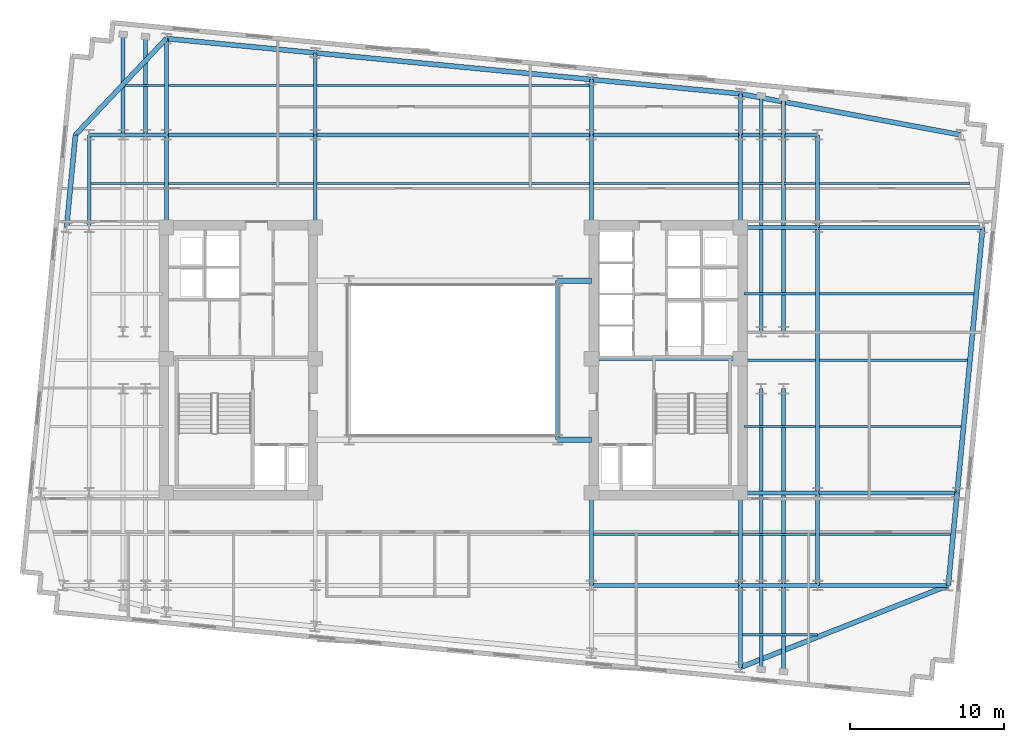
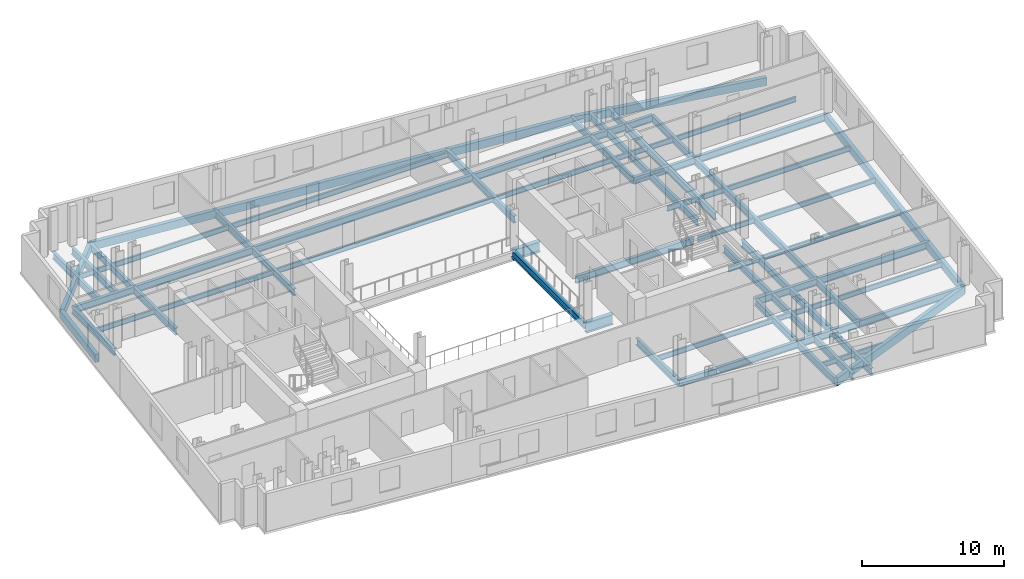
# One storey, part 2 of 9: 69 beams.
"""IFC4 building model written with IfcOpenShell, lengths in metres."""

from ifc_helpers import new_model, si_unit, direction, frame, origin, origin_2d, place, context, subcontext, project, spatial, rectangle, i_section, extrude, material, material_profile, profile_set, type_object, element, save


model = new_model("IFC4")

# Units and contexts
model_context = context("Model", 3, precision=1e-05, world=origin(), true_north=direction((0.0, 1.0)))
body_context = subcontext(model_context, "Body", "Model", "MODEL_VIEW")
ifc_project = project(units=[si_unit("LENGTHUNIT", "METRE"), si_unit("AREAUNIT", "SQUARE_METRE"), si_unit("VOLUMEUNIT", "CUBIC_METRE"), si_unit("PLANEANGLEUNIT", "RADIAN"), si_unit("MASSUNIT", "GRAM", prefix="KILO")], contexts=[model_context])

# Site, building, storey
site_placement = place(None, origin())
site = spatial("IfcSite", under=ifc_project, at=site_placement, CompositionType="ELEMENT")
building_placement = place(site_placement, origin())
building = spatial("IfcBuilding", under=site, at=building_placement, Name="Velakula Bourse", CompositionType="ELEMENT")
storey_placement = place(building_placement, frame((0.0, 0.0, 184.550048828125)))
storey = spatial("IfcBuildingStorey", under=building, at=storey_placement, Name="L50", CompositionType="ELEMENT", Elevation=184.550048828125)

# Beams
ifc_material_1 = material(Name="Steel IS 2062 Grade 350 (E350)", Category="steel")
ifc_material_profile_1 = material_profile(ifc_material_1, i_section(OverallWidth=0.25, OverallDepth=0.60009765625, WebThickness=0.01123046875, FlangeThickness=0.021240234375, at=origin_2d()), Name="Steel IS 2062 Grade 350 (E350)")
ifc_profile_set_1 = profile_set([ifc_material_profile_1], Name="Steel IS 2062 Grade 350 (E350)")
beam_type_1 = type_object("IfcBeamType", Name="BM-GRD-600M", PredefinedType="BEAM", material=ifc_profile_set_1)
beam_1_placement = place(storey_placement, frame((8.949951171875, 0.10009765625, -0.47998046875), z_axis=(1.0, 0.0, 0.0), x_axis=(0.0, 1.0, 0.0)))
element("IfcBeam", 1, at=beam_1_placement, inside=storey, type_object=beam_type_1, Name="L50 Primary Backbone Girder CRE-M", PredefinedType="BEAM", context=body_context, shape_type="SweptSolid", body=[
    extrude(i_section(OverallWidth=0.25, OverallDepth=0.60009765625, WebThickness=0.01123046875, FlangeThickness=0.021240234375, at=origin_2d()), origin(), (0.0, 0.0, 1.0), 9.650146484375),
])
beam_2_placement = place(storey_placement, frame((6.75, -5.14990234375, -0.47998046875), z_axis=(0.0, 1.0, 0.0), x_axis=(-1.0, 0.0, 0.0)))
element("IfcBeam", 2, at=beam_2_placement, inside=storey, type_object=beam_type_1, Name="L50 Primary Backbone Girder SPN-E", PredefinedType="BEAM", context=body_context, shape_type="SweptSolid", body=[
    extrude(i_section(OverallWidth=0.25, OverallDepth=0.60009765625, WebThickness=0.01123046875, FlangeThickness=0.021240234375, at=origin_2d()), origin(), (0.0, 0.0, 1.0), 10.2998046875),
])
for number, where, z_axis, x_axis, name in (
    (3, (-18.60009765625, 8.60009765625, -0.47998046875), (0.0, 1.0, 0.0), (-1.0, 0.0, 0.0), "L50 Fulcrum Grid Girder FLC-WN"),
    (4, (-8.949951171875, 8.60009765625, -0.47998046875), (0.0, 1.0, 0.0), (-1.0, 0.0, 0.0), "L50 Fulcrum Grid Girder FLC-WCN"),
    (5, (8.949951171875, -14.60009765625, -0.47998046875), (0.0, 1.0, 0.0), (-1.0, 0.0, 0.0), "L50 Fulcrum Grid Girder FLC-ECS"),
    (6, (8.949951171875, 8.60009765625, -0.47998046875), (0.0, 1.0, 0.0), (-1.0, 0.0, 0.0), "L50 Fulcrum Grid Girder FLC-ECN"),
    (7, (18.60009765625, -14.60009765625, -0.47998046875), (0.0, 1.0, 0.0), (-1.0, 0.0, 0.0), "L50 Fulcrum Grid Girder FLC-ES"),
    (8, (18.60009765625, 8.60009765625, -0.47998046875), (0.0, 1.0, 0.0), (-1.0, 0.0, 0.0), "L50 Fulcrum Grid Girder FLC-EN"),
):
    element("IfcBeam", number, at=place(storey_placement, frame(where, z_axis=z_axis, x_axis=x_axis)), inside=storey, type_object=beam_type_1, Name=name, PredefinedType="BEAM", context=body_context, shape_type="SweptSolid", body=[
        extrude(i_section(OverallWidth=0.25, OverallDepth=0.60009765625, WebThickness=0.01123046875, FlangeThickness=0.021240234375, at=origin_2d()), origin(), (0.0, 0.0, 1.0), 6.0),
    ])
for number, where, z_axis, x_axis, name in (
    (9, (8.949951171875, -14.60009765625, -0.47998046875), (1.0, 0.0, 0.0), (0.0, 1.0, 0.0), "L50 Fulcrum Grid Girder FLC-S3"),
    (10, (-18.60009765625, 14.60009765625, -0.47998046875), (1.0, 0.0, 0.0), (0.0, 1.0, 0.0), "L50 Fulcrum Grid Girder FLC-N1"),
):
    element("IfcBeam", number, at=place(storey_placement, frame(where, z_axis=z_axis, x_axis=x_axis)), inside=storey, type_object=beam_type_1, Name=name, PredefinedType="BEAM", context=body_context, shape_type="SweptSolid", body=[
        extrude(i_section(OverallWidth=0.25, OverallDepth=0.60009765625, WebThickness=0.01123046875, FlangeThickness=0.021240234375, at=origin_2d()), origin(), (0.0, 0.0, 1.0), 9.650146484375),
    ])
beam_3_placement = place(storey_placement, frame((-8.949951171875, 14.60009765625, -0.47998046875), z_axis=(1.0, 0.0, 0.0), x_axis=(0.0, 1.0, 0.0)))
element("IfcBeam", 11, at=beam_3_placement, inside=storey, type_object=beam_type_1, Name="L50 Fulcrum Grid Girder FLC-N2", PredefinedType="BEAM", context=body_context, shape_type="SweptSolid", body=[
    extrude(i_section(OverallWidth=0.25, OverallDepth=0.60009765625, WebThickness=0.01123046875, FlangeThickness=0.021240234375, at=origin_2d()), origin(), (0.0, 0.0, 1.0), 17.89990234375),
])
beam_4_placement = place(storey_placement, frame((8.949951171875, 14.60009765625, -0.47998046875), z_axis=(1.0, 0.0, 0.0), x_axis=(0.0, 1.0, 0.0)))
element("IfcBeam", 12, at=beam_4_placement, inside=storey, type_object=beam_type_1, Name="L50 Fulcrum Grid Girder FLC-N3", PredefinedType="BEAM", context=body_context, shape_type="SweptSolid", body=[
    extrude(i_section(OverallWidth=0.25, OverallDepth=0.60009765625, WebThickness=0.01123046875, FlangeThickness=0.021240234375, at=origin_2d()), origin(), (0.0, 0.0, 1.0), 9.650146484375),
])
for number, where, z_axis, x_axis, name in (
    (13, (19.949951171875, -14.60009765625, -0.47998046875), (0.0, 1.0, 0.0), (-1.0, 0.0, 0.0), "L50 Fulcrum Grid Girder FLC-PSE1"),
    (14, (19.949951171875, 1.85009765625, -0.47998046875), (0.0, 1.0, 0.0), (-1.0, 0.0, 0.0), "L50 Fulcrum Grid Girder FLC-PNE1"),
    (15, (21.39990234375, -14.60009765625, -0.47998046875), (0.0, 1.0, 0.0), (-1.0, 0.0, 0.0), "L50 Fulcrum Grid Girder FLC-PSE2"),
    (16, (21.39990234375, 1.85009765625, -0.47998046875), (0.0, 1.0, 0.0), (-1.0, 0.0, 0.0), "L50 Fulcrum Grid Girder FLC-PNE2"),
):
    element("IfcBeam", number, at=place(storey_placement, frame(where, z_axis=z_axis, x_axis=x_axis)), inside=storey, type_object=beam_type_1, Name=name, PredefinedType="BEAM", context=body_context, shape_type="SweptSolid", body=[
        extrude(i_section(OverallWidth=0.25, OverallDepth=0.60009765625, WebThickness=0.01123046875, FlangeThickness=0.021240234375, at=origin_2d()), origin(), (0.0, 0.0, 1.0), 12.75),
    ])
beam_5_placement = place(storey_placement, frame((-23.60009765625, 14.60009765625, -0.47998046875), z_axis=(1.0, 0.0, 0.0), x_axis=(0.0, 1.0, 0.0)))
element("IfcBeam", 17, at=beam_5_placement, inside=storey, type_object=beam_type_1, Name="L50 Fulcrum Grid Girder MWG-WN2", PredefinedType="BEAM", context=body_context, shape_type="SweptSolid", body=[
    extrude(i_section(OverallWidth=0.25, OverallDepth=0.60009765625, WebThickness=0.01123046875, FlangeThickness=0.021240234375, at=origin_2d()), origin(), (0.0, 0.0, 1.0), 5.0),
])
beam_6_placement = place(storey_placement, frame((-23.60009765625, 8.60009765625, -0.47998046875), z_axis=(0.0, 1.0, 0.0), x_axis=(-1.0, 0.0, 0.0)))
element("IfcBeam", 18, at=beam_6_placement, inside=storey, type_object=beam_type_1, Name="L50 Fulcrum Grid Girder MWG-WNS3", PredefinedType="BEAM", context=body_context, shape_type="SweptSolid", body=[
    extrude(i_section(OverallWidth=0.25, OverallDepth=0.60009765625, WebThickness=0.01123046875, FlangeThickness=0.021240234375, at=origin_2d()), origin(), (0.0, 0.0, 1.0), 6.0),
])
for number, where, z_axis, x_axis, name in (
    (19, (18.60009765625, -14.60009765625, -0.47998046875), (1.0, 0.0, 0.0), (0.0, 1.0, 0.0), "L50 Fulcrum Grid Girder MWG-ES1"),
    (20, (18.60009765625, -8.60009765625, -0.47998046875), (1.0, 0.0, 0.0), (0.0, 1.0, 0.0), "L50 Fulcrum Grid Girder MWG-ES2"),
    (21, (18.60009765625, 8.60009765625, -0.47998046875), (1.0, 0.0, 0.0), (0.0, 1.0, 0.0), "L50 Fulcrum Grid Girder MWG-EN1"),
    (22, (18.60009765625, 14.60009765625, -0.47998046875), (1.0, 0.0, 0.0), (0.0, 1.0, 0.0), "L50 Fulcrum Grid Girder MWG-EN2"),
):
    element("IfcBeam", number, at=place(storey_placement, frame(where, z_axis=z_axis, x_axis=x_axis)), inside=storey, type_object=beam_type_1, Name=name, PredefinedType="BEAM", context=body_context, shape_type="SweptSolid", body=[
        extrude(i_section(OverallWidth=0.25, OverallDepth=0.60009765625, WebThickness=0.01123046875, FlangeThickness=0.021240234375, at=origin_2d()), origin(), (0.0, 0.0, 1.0), 5.0),
    ])
beam_7_placement = place(storey_placement, frame((23.60009765625, -14.60009765625, -0.47998046875), z_axis=(0.0, 1.0, 0.0), x_axis=(-1.0, 0.0, 0.0)))
element("IfcBeam", 23, at=beam_7_placement, inside=storey, type_object=beam_type_1, Name="L50 Fulcrum Grid Girder MWG-ENS1", PredefinedType="BEAM", context=body_context, shape_type="SweptSolid", body=[
    extrude(i_section(OverallWidth=0.25, OverallDepth=0.60009765625, WebThickness=0.01123046875, FlangeThickness=0.021240234375, at=origin_2d()), origin(), (0.0, 0.0, 1.0), 6.0),
])
beam_8_placement = place(storey_placement, frame((23.60009765625, -8.60009765625, -0.47998046875), z_axis=(0.0, 1.0, 0.0), x_axis=(-1.0, 0.0, 0.0)))
element("IfcBeam", 24, at=beam_8_placement, inside=storey, type_object=beam_type_1, Name="L50 Fulcrum Grid Girder MWG-ENS2", PredefinedType="BEAM", context=body_context, shape_type="SweptSolid", body=[
    extrude(i_section(OverallWidth=0.25, OverallDepth=0.60009765625, WebThickness=0.01123046875, FlangeThickness=0.021240234375, at=origin_2d()), origin(), (0.0, 0.0, 1.0), 17.2001953125),
])
beam_9_placement = place(storey_placement, frame((23.60009765625, 8.60009765625, -0.47998046875), z_axis=(0.0, 1.0, 0.0), x_axis=(-1.0, 0.0, 0.0)))
element("IfcBeam", 25, at=beam_9_placement, inside=storey, type_object=beam_type_1, Name="L50 Fulcrum Grid Girder MWG-ENS3", PredefinedType="BEAM", context=body_context, shape_type="SweptSolid", body=[
    extrude(i_section(OverallWidth=0.25, OverallDepth=0.60009765625, WebThickness=0.01123046875, FlangeThickness=0.021240234375, at=origin_2d()), origin(), (0.0, 0.0, 1.0), 6.0),
])
beam_10_placement = place(storey_placement, frame((18.60009765625, -14.60009765625, -0.47998046875), z_axis=(0.0, -1.0, 0.0), x_axis=(1.0, 0.0, 0.0)))
element("IfcBeam", 26, at=beam_10_placement, inside=storey, type_object=beam_type_1, Name="L50 Perimeter Tie Girder S4", PredefinedType="BEAM", context=body_context, shape_type="SweptSolid", body=[
    extrude(i_section(OverallWidth=0.25, OverallDepth=0.60009765625, WebThickness=0.01123046875, FlangeThickness=0.021240234375, at=origin_2d()), origin(), (0.0, 0.0, 1.0), 5.310546875),
])
beam_11_placement = place(storey_placement, frame((-18.60009765625, 14.60009765625, -0.47998046875), z_axis=(0.0, 1.0, 0.0), x_axis=(-1.0, 0.0, 0.0)))
element("IfcBeam", 27, at=beam_11_placement, inside=storey, type_object=beam_type_1, Name="L50 Perimeter Tie Girder N1", PredefinedType="BEAM", context=body_context, shape_type="SweptSolid", body=[
    extrude(i_section(OverallWidth=0.25, OverallDepth=0.60009765625, WebThickness=0.01123046875, FlangeThickness=0.021240234375, at=origin_2d()), origin(), (0.0, 0.0, 1.0), 6.2421875),
])
beam_12_placement = place(storey_placement, frame((-8.949951171875, 14.60009765625, -0.47998046875), z_axis=(0.0, 1.0, 0.0), x_axis=(-1.0, 0.0, 0.0)))
element("IfcBeam", 28, at=beam_12_placement, inside=storey, type_object=beam_type_1, Name="L50 Perimeter Tie Girder N2", PredefinedType="BEAM", context=body_context, shape_type="SweptSolid", body=[
    extrude(i_section(OverallWidth=0.25, OverallDepth=0.60009765625, WebThickness=0.01123046875, FlangeThickness=0.021240234375, at=origin_2d()), origin(), (0.0, 0.0, 1.0), 5.31298828125),
])
beam_13_placement = place(storey_placement, frame((8.949951171875, 14.60009765625, -0.47998046875), z_axis=(0.0, 1.0, 0.0), x_axis=(-1.0, 0.0, 0.0)))
element("IfcBeam", 29, at=beam_13_placement, inside=storey, type_object=beam_type_1, Name="L50 Perimeter Tie Girder N3", PredefinedType="BEAM", context=body_context, shape_type="SweptSolid", body=[
    extrude(i_section(OverallWidth=0.25, OverallDepth=0.60009765625, WebThickness=0.01123046875, FlangeThickness=0.021240234375, at=origin_2d()), origin(), (0.0, 0.0, 1.0), 3.589599609375),
])
beam_14_placement = place(storey_placement, frame((18.60009765625, 14.60009765625, -0.47998046875), z_axis=(0.0, 1.0, 0.0), x_axis=(-1.0, 0.0, 0.0)))
element("IfcBeam", 30, at=beam_14_placement, inside=storey, type_object=beam_type_1, Name="L50 Perimeter Tie Girder N4", PredefinedType="BEAM", context=body_context, shape_type="SweptSolid", body=[
    extrude(i_section(OverallWidth=0.25, OverallDepth=0.60009765625, WebThickness=0.01123046875, FlangeThickness=0.021240234375, at=origin_2d()), origin(), (0.0, 0.0, 1.0), 2.660400390625),
])
beam_15_placement = place(storey_placement, frame((23.60009765625, -14.60009765625, -0.47998046875), z_axis=(1.0, 0.0, 0.0), x_axis=(0.0, 1.0, 0.0)))
element("IfcBeam", 31, at=beam_15_placement, inside=storey, type_object=beam_type_1, Name="L50 Perimeter Tie Girder E1", PredefinedType="BEAM", context=body_context, shape_type="SweptSolid", body=[
    extrude(i_section(OverallWidth=0.25, OverallDepth=0.60009765625, WebThickness=0.01123046875, FlangeThickness=0.021240234375, at=origin_2d()), origin(), (0.0, 0.0, 1.0), 8.47119140625),
])
beam_16_placement = place(storey_placement, frame((23.60009765625, -8.60009765625, -0.47998046875), z_axis=(1.0, 0.0, 0.0), x_axis=(0.0, 1.0, 0.0)))
element("IfcBeam", 32, at=beam_16_placement, inside=storey, type_object=beam_type_1, Name="L50 Perimeter Tie Girder E2", PredefinedType="BEAM", context=body_context, shape_type="SweptSolid", body=[
    extrude(i_section(OverallWidth=0.25, OverallDepth=0.60009765625, WebThickness=0.01123046875, FlangeThickness=0.021240234375, at=origin_2d()), origin(), (0.0, 0.0, 1.0), 9.048828125),
])
beam_17_placement = place(storey_placement, frame((23.60009765625, 8.60009765625, -0.47998046875), z_axis=(1.0, 0.0, 0.0), x_axis=(0.0, 1.0, 0.0)))
element("IfcBeam", 33, at=beam_17_placement, inside=storey, type_object=beam_type_1, Name="L50 Perimeter Tie Girder E3", PredefinedType="BEAM", context=body_context, shape_type="SweptSolid", body=[
    extrude(i_section(OverallWidth=0.25, OverallDepth=0.60009765625, WebThickness=0.01123046875, FlangeThickness=0.021240234375, at=origin_2d()), origin(), (0.0, 0.0, 1.0), 10.705078125),
])
beam_18_placement = place(storey_placement, frame((19.949951171875, -14.60009765625, -0.47998046875), z_axis=(0.0, -1.0, 0.0), x_axis=(1.0, 0.0, 0.0)))
element("IfcBeam", 34, at=beam_18_placement, inside=storey, type_object=beam_type_1, Name="L50 Perimeter Tie Girder P03", PredefinedType="BEAM", context=body_context, shape_type="SweptSolid", body=[
    extrude(i_section(OverallWidth=0.25, OverallDepth=0.60009765625, WebThickness=0.01123046875, FlangeThickness=0.021240234375, at=origin_2d()), origin(), (0.0, 0.0, 1.0), 5.4404296875),
])
beam_19_placement = place(storey_placement, frame((21.39990234375, -14.60009765625, -0.47998046875), z_axis=(0.0, -1.0, 0.0), x_axis=(1.0, 0.0, 0.0)))
element("IfcBeam", 35, at=beam_19_placement, inside=storey, type_object=beam_type_1, Name="L50 Perimeter Tie Girder P04", PredefinedType="BEAM", context=body_context, shape_type="SweptSolid", body=[
    extrude(i_section(OverallWidth=0.25, OverallDepth=0.60009765625, WebThickness=0.01123046875, FlangeThickness=0.021240234375, at=origin_2d()), origin(), (0.0, 0.0, 1.0), 5.580322265625),
])
beam_20_placement = place(storey_placement, frame((-21.39990234375, 14.60009765625, -0.47998046875), z_axis=(0.0, 1.0, 0.0), x_axis=(-1.0, 0.0, 0.0)))
element("IfcBeam", 36, at=beam_20_placement, inside=storey, type_object=beam_type_1, Name="L50 Perimeter Tie Girder P05", PredefinedType="BEAM", context=body_context, shape_type="SweptSolid", body=[
    extrude(i_section(OverallWidth=0.25, OverallDepth=0.60009765625, WebThickness=0.01123046875, FlangeThickness=0.021240234375, at=origin_2d()), origin(), (0.0, 0.0, 1.0), 6.511962890625),
])
beam_21_placement = place(storey_placement, frame((-19.949951171875, 14.60009765625, -0.47998046875), z_axis=(0.0, 1.0, 0.0), x_axis=(-1.0, 0.0, 0.0)))
element("IfcBeam", 37, at=beam_21_placement, inside=storey, type_object=beam_type_1, Name="L50 Perimeter Tie Girder P06", PredefinedType="BEAM", context=body_context, shape_type="SweptSolid", body=[
    extrude(i_section(OverallWidth=0.25, OverallDepth=0.60009765625, WebThickness=0.01123046875, FlangeThickness=0.021240234375, at=origin_2d()), origin(), (0.0, 0.0, 1.0), 6.372314453125),
])
beam_22_placement = place(storey_placement, frame((19.949951171875, 14.60009765625, -0.47998046875), z_axis=(0.0, 1.0, 0.0), x_axis=(-1.0, 0.0, 0.0)))
element("IfcBeam", 38, at=beam_22_placement, inside=storey, type_object=beam_type_1, Name="L50 Perimeter Tie Girder P07", PredefinedType="BEAM", context=body_context, shape_type="SweptSolid", body=[
    extrude(i_section(OverallWidth=0.25, OverallDepth=0.60009765625, WebThickness=0.01123046875, FlangeThickness=0.021240234375, at=origin_2d()), origin(), (0.0, 0.0, 1.0), 2.530517578125),
])
beam_23_placement = place(storey_placement, frame((21.39990234375, 14.60009765625, -0.47998046875), z_axis=(0.0, 1.0, 0.0), x_axis=(-1.0, 0.0, 0.0)))
element("IfcBeam", 39, at=beam_23_placement, inside=storey, type_object=beam_type_1, Name="L50 Perimeter Tie Girder P08", PredefinedType="BEAM", context=body_context, shape_type="SweptSolid", body=[
    extrude(i_section(OverallWidth=0.25, OverallDepth=0.60009765625, WebThickness=0.01123046875, FlangeThickness=0.021240234375, at=origin_2d()), origin(), (0.0, 0.0, 1.0), 2.390869140625),
])
ifc_material_profile_2 = material_profile(ifc_material_1, i_section(OverallWidth=0.35009765625, OverallDepth=0.89990234375, WebThickness=0.02001953125, FlangeThickness=0.031982421875, at=origin_2d()), Name="Steel IS 2062 Grade 350 (E350)")
ifc_profile_set_2 = profile_set([ifc_material_profile_2], Name="Steel IS 2062 Grade 350 (E350)")
beam_type_2 = type_object("IfcBeamType", Name="BM-LNK-900", PredefinedType="BEAM", material=ifc_profile_set_2)
for number, where, z_axis, x_axis, name in (
    (40, (6.75, -5.14990234375, -0.630126953125), (1.0, 0.0, 0.0), (0.0, 1.0, 0.0), "L50 Primary Backbone Girder LNK-S3"),
    (41, (6.75, 5.14990234375, -0.630126953125), (1.0, 0.0, 0.0), (0.0, 1.0, 0.0), "L50 Primary Backbone Girder LNK-N3"),
):
    element("IfcBeam", number, at=place(storey_placement, frame(where, z_axis=z_axis, x_axis=x_axis)), inside=storey, type_object=beam_type_2, Name=name, PredefinedType="BEAM", context=body_context, shape_type="SweptSolid", body=[
        extrude(i_section(OverallWidth=0.35009765625, OverallDepth=0.89990234375, WebThickness=0.02001953125, FlangeThickness=0.031982421875, at=origin_2d()), origin(), (0.0, 0.0, 1.0), 2.199951171875),
    ])
ifc_material_profile_3 = material_profile(ifc_material_1, i_section(OverallWidth=0.14990234375, OverallDepth=0.449951171875, WebThickness=0.009521484375, FlangeThickness=0.017333984375, at=origin_2d()), Name="Steel IS 2062 Grade 350 (E350)")
ifc_profile_set_3 = profile_set([ifc_material_profile_3], Name="Steel IS 2062 Grade 350 (E350)")
beam_type_3 = type_object("IfcBeamType", Name="JST-TWR-450", PredefinedType="JOIST", material=ifc_profile_set_3)
beam_24_placement = place(storey_placement, frame((18.72509765625, -17.800048828125, -0.405029296875), z_axis=(1.0, 0.0, 0.0), x_axis=(0.0, 1.0, 0.0)))
element("IfcBeam", 42, at=beam_24_placement, inside=storey, type_object=beam_type_3, Name="L50 Trading Floor Composite Joist 03", PredefinedType="JOIST", context=body_context, shape_type="SweptSolid", body=[
    extrude(i_section(OverallWidth=0.14990234375, OverallDepth=0.449951171875, WebThickness=0.009521484375, FlangeThickness=0.017333984375, at=origin_2d()), origin(), (0.0, 0.0, 1.0), 4.875),
])
beam_25_placement = place(storey_placement, frame((9.074951171875, -11.300048828125, -0.405029296875), z_axis=(1.0, 0.0, 0.0), x_axis=(0.0, 1.0, 0.0)))
element("IfcBeam", 43, at=beam_25_placement, inside=storey, type_object=beam_type_3, Name="L50 Trading Floor Composite Joist 08", PredefinedType="JOIST", context=body_context, shape_type="SweptSolid", body=[
    extrude(i_section(OverallWidth=0.14990234375, OverallDepth=0.449951171875, WebThickness=0.009521484375, FlangeThickness=0.017333984375, at=origin_2d()), origin(), (0.0, 0.0, 1.0), 9.400146484375),
])
beam_26_placement = place(storey_placement, frame((18.72509765625, -11.300048828125, -0.405029296875), z_axis=(1.0, 0.0, 0.0), x_axis=(0.0, 1.0, 0.0)))
element("IfcBeam", 44, at=beam_26_placement, inside=storey, type_object=beam_type_3, Name="L50 Trading Floor Composite Joist 09", PredefinedType="JOIST", context=body_context, shape_type="SweptSolid", body=[
    extrude(i_section(OverallWidth=0.14990234375, OverallDepth=0.449951171875, WebThickness=0.009521484375, FlangeThickness=0.017333984375, at=origin_2d()), origin(), (0.0, 0.0, 1.0), 4.75),
])
beam_27_placement = place(storey_placement, frame((23.72509765625, -11.300048828125, -0.405029296875), z_axis=(1.0, 0.0, 0.0), x_axis=(0.0, 1.0, 0.0)))
element("IfcBeam", 45, at=beam_27_placement, inside=storey, type_object=beam_type_3, Name="L50 Trading Floor Composite Joist 10", PredefinedType="JOIST", context=body_context, shape_type="SweptSolid", body=[
    extrude(i_section(OverallWidth=0.14990234375, OverallDepth=0.449951171875, WebThickness=0.009521484375, FlangeThickness=0.017333984375, at=origin_2d()), origin(), (0.0, 0.0, 1.0), 8.503173828125),
])
beam_28_placement = place(storey_placement, frame((-23.47509765625, 11.449951171875, -0.405029296875), z_axis=(1.0, 0.0, 0.0), x_axis=(0.0, 1.0, 0.0)))
element("IfcBeam", 46, at=beam_28_placement, inside=storey, type_object=beam_type_3, Name="L50 Trading Floor Composite Joist 11", PredefinedType="JOIST", context=body_context, shape_type="SweptSolid", body=[
    extrude(i_section(OverallWidth=0.14990234375, OverallDepth=0.449951171875, WebThickness=0.009521484375, FlangeThickness=0.017333984375, at=origin_2d()), origin(), (0.0, 0.0, 1.0), 4.75),
])
beam_29_placement = place(storey_placement, frame((-18.47509765625, 11.449951171875, -0.405029296875), z_axis=(1.0, 0.0, 0.0), x_axis=(0.0, 1.0, 0.0)))
element("IfcBeam", 47, at=beam_29_placement, inside=storey, type_object=beam_type_3, Name="L50 Trading Floor Composite Joist 12", PredefinedType="JOIST", context=body_context, shape_type="SweptSolid", body=[
    extrude(i_section(OverallWidth=0.14990234375, OverallDepth=0.449951171875, WebThickness=0.009521484375, FlangeThickness=0.017333984375, at=origin_2d()), origin(), (0.0, 0.0, 1.0), 9.400146484375),
])
beam_30_placement = place(storey_placement, frame((-8.824951171875, 11.449951171875, -0.405029296875), z_axis=(1.0, 0.0, 0.0), x_axis=(0.0, 1.0, 0.0)))
element("IfcBeam", 48, at=beam_30_placement, inside=storey, type_object=beam_type_3, Name="L50 Trading Floor Composite Joist 13", PredefinedType="JOIST", context=body_context, shape_type="SweptSolid", body=[
    extrude(i_section(OverallWidth=0.14990234375, OverallDepth=0.449951171875, WebThickness=0.009521484375, FlangeThickness=0.017333984375, at=origin_2d()), origin(), (0.0, 0.0, 1.0), 17.64990234375),
])
beam_31_placement = place(storey_placement, frame((9.074951171875, 11.449951171875, -0.405029296875), z_axis=(1.0, 0.0, 0.0), x_axis=(0.0, 1.0, 0.0)))
element("IfcBeam", 49, at=beam_31_placement, inside=storey, type_object=beam_type_3, Name="L50 Trading Floor Composite Joist 14", PredefinedType="JOIST", context=body_context, shape_type="SweptSolid", body=[
    extrude(i_section(OverallWidth=0.14990234375, OverallDepth=0.449951171875, WebThickness=0.009521484375, FlangeThickness=0.017333984375, at=origin_2d()), origin(), (0.0, 0.0, 1.0), 9.400146484375),
])
beam_32_placement = place(storey_placement, frame((18.72509765625, 11.449951171875, -0.405029296875), z_axis=(1.0, 0.0, 0.0), x_axis=(0.0, 1.0, 0.0)))
element("IfcBeam", 50, at=beam_32_placement, inside=storey, type_object=beam_type_3, Name="L50 Trading Floor Composite Joist 15", PredefinedType="JOIST", context=body_context, shape_type="SweptSolid", body=[
    extrude(i_section(OverallWidth=0.14990234375, OverallDepth=0.449951171875, WebThickness=0.009521484375, FlangeThickness=0.017333984375, at=origin_2d()), origin(), (0.0, 0.0, 1.0), 4.75),
])
beam_33_placement = place(storey_placement, frame((23.72509765625, 11.449951171875, -0.405029296875), z_axis=(1.0, 0.0, 0.0), x_axis=(0.0, 1.0, 0.0)))
element("IfcBeam", 51, at=beam_33_placement, inside=storey, type_object=beam_type_3, Name="L50 Trading Floor Composite Joist 16", PredefinedType="JOIST", context=body_context, shape_type="SweptSolid", body=[
    extrude(i_section(OverallWidth=0.14990234375, OverallDepth=0.449951171875, WebThickness=0.009521484375, FlangeThickness=0.017333984375, at=origin_2d()), origin(), (0.0, 0.0, 1.0), 9.735595703125),
])
beam_34_placement = place(storey_placement, frame((-21.2509765625, 17.800048828125, -0.405029296875), z_axis=(1.0, 0.0, 0.0), x_axis=(0.0, 1.0, 0.0)))
element("IfcBeam", 52, at=beam_34_placement, inside=storey, type_object=beam_type_3, Name="L50 Trading Floor Composite Joist 17", PredefinedType="JOIST", context=body_context, shape_type="SweptSolid", body=[
    extrude(i_section(OverallWidth=0.14990234375, OverallDepth=0.449951171875, WebThickness=0.009521484375, FlangeThickness=0.017333984375, at=origin_2d()), origin(), (0.0, 0.0, 1.0), 2.52587890625),
])
beam_35_placement = place(storey_placement, frame((-18.47509765625, 17.800048828125, -0.405029296875), z_axis=(1.0, 0.0, 0.0), x_axis=(0.0, 1.0, 0.0)))
element("IfcBeam", 53, at=beam_35_placement, inside=storey, type_object=beam_type_3, Name="L50 Trading Floor Composite Joist 18", PredefinedType="JOIST", context=body_context, shape_type="SweptSolid", body=[
    extrude(i_section(OverallWidth=0.14990234375, OverallDepth=0.449951171875, WebThickness=0.009521484375, FlangeThickness=0.017333984375, at=origin_2d()), origin(), (0.0, 0.0, 1.0), 9.400146484375),
])
beam_36_placement = place(storey_placement, frame((-8.824951171875, 17.800048828125, -0.405029296875), z_axis=(1.0, 0.0, 0.0), x_axis=(0.0, 1.0, 0.0)))
element("IfcBeam", 54, at=beam_36_placement, inside=storey, type_object=beam_type_3, Name="L50 Trading Floor Composite Joist 19", PredefinedType="JOIST", context=body_context, shape_type="SweptSolid", body=[
    extrude(i_section(OverallWidth=0.14990234375, OverallDepth=0.449951171875, WebThickness=0.009521484375, FlangeThickness=0.017333984375, at=origin_2d()), origin(), (0.0, 0.0, 1.0), 17.64990234375),
])
beam_37_placement = place(storey_placement, frame((18.85009765625, -4.300048828125, -0.405029296875), z_axis=(1.0, 0.0, 0.0), x_axis=(0.0, 1.0, 0.0)))
element("IfcBeam", 55, at=beam_37_placement, inside=storey, type_object=beam_type_3, Name="L50 Trading Floor Composite Joist 23", PredefinedType="JOIST", context=body_context, shape_type="SweptSolid", body=[
    extrude(i_section(OverallWidth=0.14990234375, OverallDepth=0.449951171875, WebThickness=0.009521484375, FlangeThickness=0.017333984375, at=origin_2d()), origin(), (0.0, 0.0, 1.0), 4.625),
])
beam_38_placement = place(storey_placement, frame((23.72509765625, -4.300048828125, -0.405029296875), z_axis=(1.0, 0.0, 0.0), x_axis=(0.0, 1.0, 0.0)))
element("IfcBeam", 56, at=beam_38_placement, inside=storey, type_object=beam_type_3, Name="L50 Trading Floor Composite Joist 24", PredefinedType="JOIST", context=body_context, shape_type="SweptSolid", body=[
    extrude(i_section(OverallWidth=0.14990234375, OverallDepth=0.449951171875, WebThickness=0.009521484375, FlangeThickness=0.017333984375, at=origin_2d()), origin(), (0.0, 0.0, 1.0), 9.17724609375),
])
beam_39_placement = place(storey_placement, frame((18.85009765625, 0.0, -0.405029296875), z_axis=(1.0, 0.0, 0.0), x_axis=(0.0, 1.0, 0.0)))
element("IfcBeam", 57, at=beam_39_placement, inside=storey, type_object=beam_type_3, Name="L50 Trading Floor Composite Joist 27", PredefinedType="JOIST", context=body_context, shape_type="SweptSolid", body=[
    extrude(i_section(OverallWidth=0.14990234375, OverallDepth=0.449951171875, WebThickness=0.009521484375, FlangeThickness=0.017333984375, at=origin_2d()), origin(), (0.0, 0.0, 1.0), 4.625),
])
beam_40_placement = place(storey_placement, frame((23.72509765625, 0.0, -0.405029296875), z_axis=(1.0, 0.0, 0.0), x_axis=(0.0, 1.0, 0.0)))
element("IfcBeam", 58, at=beam_40_placement, inside=storey, type_object=beam_type_3, Name="L50 Trading Floor Composite Joist 28", PredefinedType="JOIST", context=body_context, shape_type="SweptSolid", body=[
    extrude(i_section(OverallWidth=0.14990234375, OverallDepth=0.449951171875, WebThickness=0.009521484375, FlangeThickness=0.017333984375, at=origin_2d()), origin(), (0.0, 0.0, 1.0), 9.59130859375),
])
beam_41_placement = place(storey_placement, frame((18.85009765625, 4.300048828125, -0.405029296875), z_axis=(1.0, 0.0, 0.0), x_axis=(0.0, 1.0, 0.0)))
element("IfcBeam", 59, at=beam_41_placement, inside=storey, type_object=beam_type_3, Name="L50 Trading Floor Composite Joist 30", PredefinedType="JOIST", context=body_context, shape_type="SweptSolid", body=[
    extrude(i_section(OverallWidth=0.14990234375, OverallDepth=0.449951171875, WebThickness=0.009521484375, FlangeThickness=0.017333984375, at=origin_2d()), origin(), (0.0, 0.0, 1.0), 4.625),
])
beam_42_placement = place(storey_placement, frame((23.72509765625, 4.300048828125, -0.405029296875), z_axis=(1.0, 0.0, 0.0), x_axis=(0.0, 1.0, 0.0)))
element("IfcBeam", 60, at=beam_42_placement, inside=storey, type_object=beam_type_3, Name="L50 Trading Floor Composite Joist 31", PredefinedType="JOIST", context=body_context, shape_type="SweptSolid", body=[
    extrude(i_section(OverallWidth=0.14990234375, OverallDepth=0.449951171875, WebThickness=0.009521484375, FlangeThickness=0.017333984375, at=origin_2d()), origin(), (0.0, 0.0, 1.0), 10.005126953125),
])
ifc_material_2 = material(Name="Precast concrete M45 (fck 45 MPa)", Category="concrete")
ifc_material_profile_4 = material_profile(ifc_material_2, rectangle(XDim=0.320068359375, YDim=0.679931640625, at=origin_2d()), Name="Precast concrete M45 (fck 45 MPa)")
ifc_profile_set_4 = profile_set([ifc_material_profile_4], Name="Precast concrete M45 (fck 45 MPa)")
beam_type_4 = type_object("IfcBeamType", Name="SPN-BRICK-680", PredefinedType="SPANDREL", material=ifc_profile_set_4)
beam_43_placement = place(storey_placement, frame((-18.60009765625, 20.84228515625, -0.52001953125), z_axis=(0.99539623971, -0.095845323155, 0.0), x_axis=(0.095845323155, 0.99539623971, 0.0)))
element("IfcBeam", 61, at=beam_43_placement, inside=storey, type_object=beam_type_4, Name="L50 Brick-Faced Precast Spandrel N1-N2", PredefinedType="SPANDREL", context=body_context, shape_type="SweptSolid", body=[
    extrude(rectangle(XDim=0.320068359375, YDim=0.679931640625, at=origin_2d()), origin(), (0.0, 0.0, 1.0), 9.69482421875),
])
beam_44_placement = place(storey_placement, frame((-8.949951171875, 19.9130859375, -0.52001953125), z_axis=(0.995397131467, -0.095836061418, 0.0), x_axis=(0.095836061418, 0.995397131467, 0.0)))
element("IfcBeam", 62, at=beam_44_placement, inside=storey, type_object=beam_type_4, Name="L50 Brick-Faced Precast Spandrel N2-N3", PredefinedType="SPANDREL", context=body_context, shape_type="SweptSolid", body=[
    extrude(rectangle(XDim=0.320068359375, YDim=0.679931640625, at=origin_2d()), origin(), (0.0, 0.0, 1.0), 17.982666015625),
])
beam_45_placement = place(storey_placement, frame((8.949951171875, 18.189697265625, -0.52001953125), z_axis=(0.99539623971, -0.095845323155, 0.0), x_axis=(0.095845323155, 0.99539623971, 0.0)))
element("IfcBeam", 63, at=beam_45_placement, inside=storey, type_object=beam_type_4, Name="L50 Brick-Faced Precast Spandrel N3-N4", PredefinedType="SPANDREL", context=body_context, shape_type="SweptSolid", body=[
    extrude(rectangle(XDim=0.320068359375, YDim=0.679931640625, at=origin_2d()), origin(), (0.0, 0.0, 1.0), 9.69482421875),
])
for number, where, z_axis, x_axis, name in (
    (64, (-25.068115234375, 8.60009765625, -0.52001953125), (0.095829714309, 0.995397742541, 0.0), (-0.995397742541, 0.095829714309, 0.0), "L50 Brick-Faced Precast Spandrel W3-W4"),
    (65, (32.0712890625, -14.60009765625, -0.52001953125), (0.095829714309, 0.995397742541, 0.0), (-0.995397742541, 0.095829714309, 0.0), "L50 Brick-Faced Precast Spandrel E1-E2"),
):
    element("IfcBeam", number, at=place(storey_placement, frame(where, z_axis=z_axis, x_axis=x_axis)), inside=storey, type_object=beam_type_4, Name=name, PredefinedType="SPANDREL", context=body_context, shape_type="SweptSolid", body=[
        extrude(rectangle(XDim=0.320068359375, YDim=0.679931640625, at=origin_2d()), origin(), (0.0, 0.0, 1.0), 6.02783203125),
    ])
beam_46_placement = place(storey_placement, frame((32.64892578125, -8.60009765625, -0.52001953125), z_axis=(0.095849167925, 0.995395869495, 0.0), x_axis=(-0.995395869495, 0.095849167925, 0.0)))
element("IfcBeam", 66, at=beam_46_placement, inside=storey, type_object=beam_type_4, Name="L50 Brick-Faced Precast Spandrel E2-E3", PredefinedType="SPANDREL", context=body_context, shape_type="SweptSolid", body=[
    extrude(rectangle(XDim=0.320068359375, YDim=0.679931640625, at=origin_2d()), origin(), (0.0, 0.0, 1.0), 17.27978515625),
])
beam_47_placement = place(storey_placement, frame((18.60009765625, -19.91064453125, -0.52001953125), z_axis=(0.930320901537, 0.366746533949, 0.0), x_axis=(-0.366746533949, 0.930320901537, 0.0)))
element("IfcBeam", 67, at=beam_47_placement, inside=storey, type_object=beam_type_4, Name="L50 Brick-Faced Precast Spandrel S4-E1", PredefinedType="SPANDREL", context=body_context, shape_type="SweptSolid", body=[
    extrude(rectangle(XDim=0.320068359375, YDim=0.679931640625, at=origin_2d()), origin(), (0.0, 0.0, 1.0), 14.480224609375),
])
beam_48_placement = place(storey_placement, frame((32.87353515625, 14.60009765625, -0.52001953125), z_axis=(-0.983069592122, 0.183232576378, 0.0), x_axis=(-0.183232576378, -0.983069592122, 0.0)))
element("IfcBeam", 68, at=beam_48_placement, inside=storey, type_object=beam_type_4, Name="L50 Brick-Faced Precast Spandrel E4-N4", PredefinedType="SPANDREL", context=body_context, shape_type="SweptSolid", body=[
    extrude(rectangle(XDim=0.320068359375, YDim=0.679931640625, at=origin_2d()), origin(), (0.0, 0.0, 1.0), 14.519287109375),
])
beam_49_placement = place(storey_placement, frame((-18.60009765625, 20.84228515625, -0.52001953125), z_axis=(-0.686314417505, -0.727304970645, 0.0), x_axis=(0.727304970645, -0.686314417505, 0.0)))
element("IfcBeam", 69, at=beam_49_placement, inside=storey, type_object=beam_type_4, Name="L50 Brick-Faced Precast Spandrel N1-W4", PredefinedType="SPANDREL", context=body_context, shape_type="SweptSolid", body=[
    extrude(rectangle(XDim=0.320068359375, YDim=0.679931640625, at=origin_2d()), origin(), (0.0, 0.0, 1.0), 8.58251953125),
])

save(model, "model.ifc")
